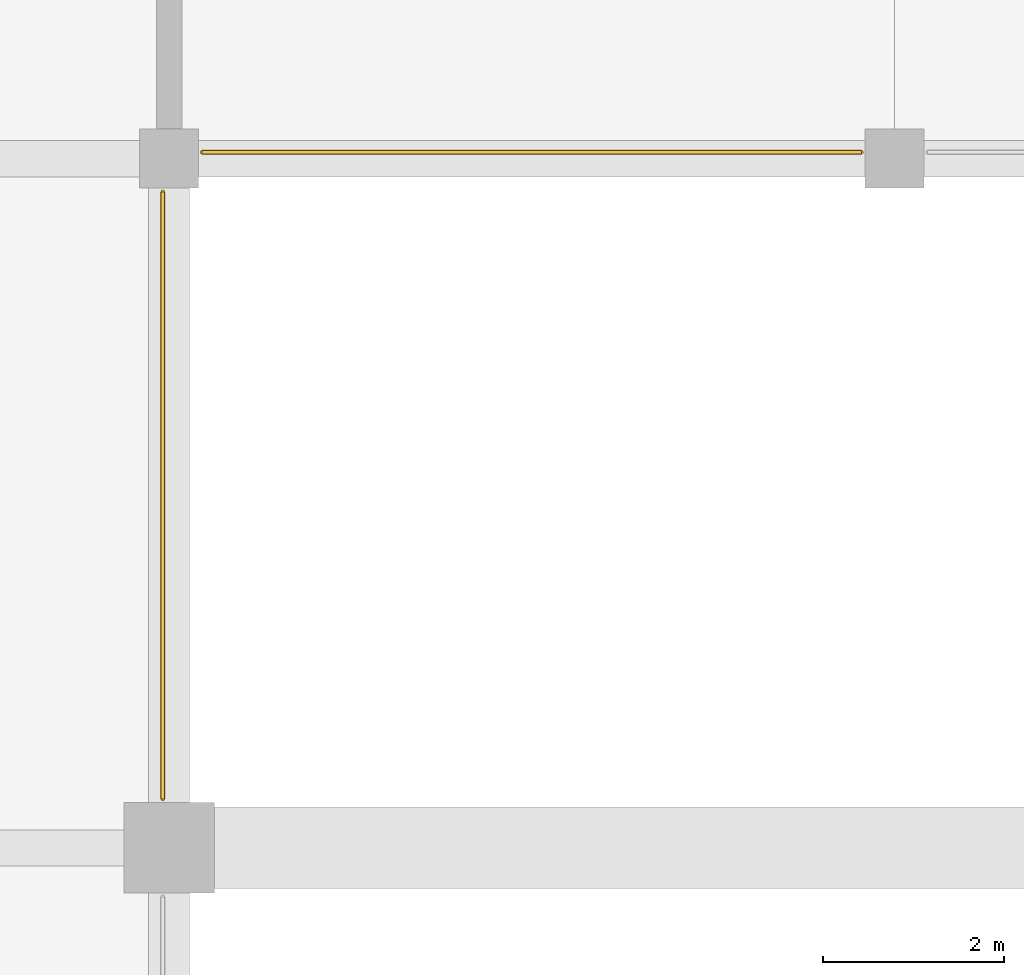
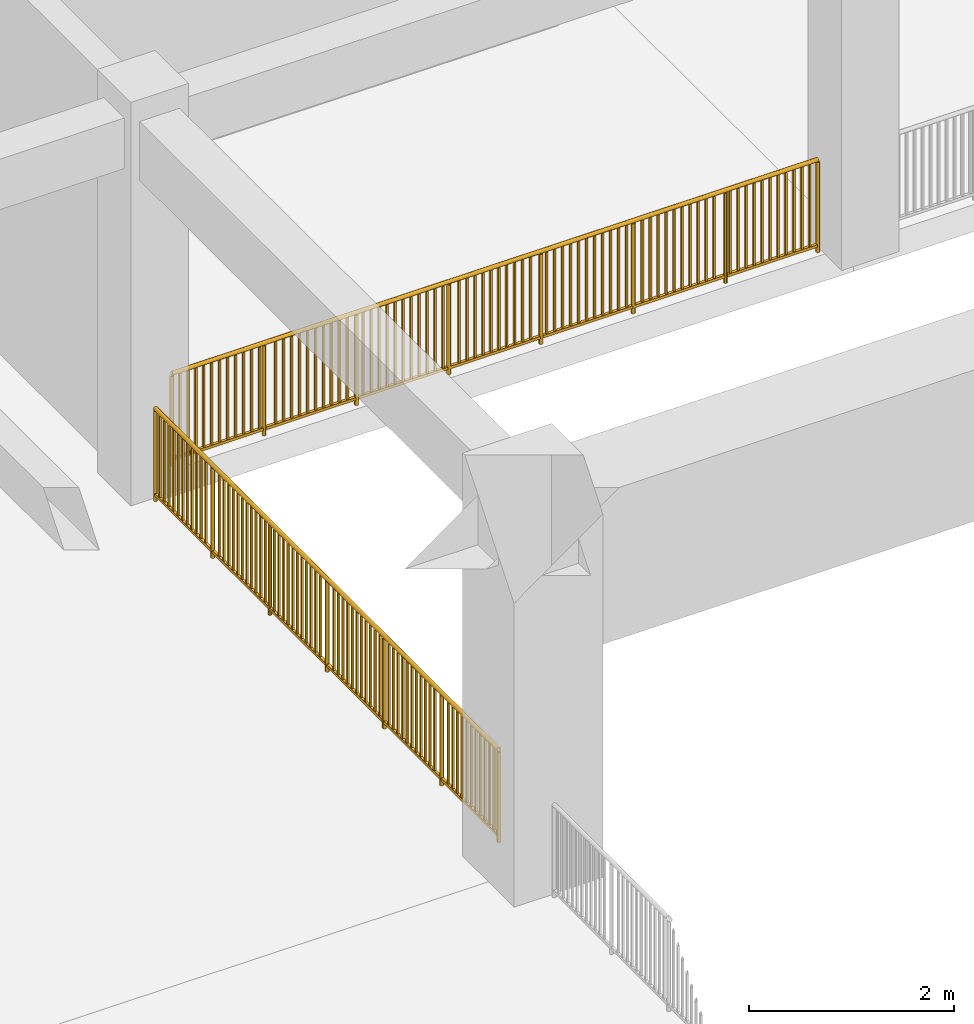
# One storey, part 86 of 101: 2 railings.
"""IFC4 building model written with IfcOpenShell, lengths in metres."""

from ifc_helpers import new_model, si_unit, direction, frame, origin, origin_2d, place, context, subcontext, project, spatial, rectangle, circle, extrude, material, type_object, element, save


model = new_model("IFC4")

# Units and contexts
model_context = context("Model", 3, precision=1e-05, world=origin(), true_north=direction((0.0, 1.0)))
body_context = subcontext(model_context, "Body", "Model", "MODEL_VIEW")
ifc_project = project(units=[si_unit("LENGTHUNIT", "METRE"), si_unit("AREAUNIT", "SQUARE_METRE"), si_unit("VOLUMEUNIT", "CUBIC_METRE"), si_unit("PLANEANGLEUNIT", "RADIAN"), si_unit("MASSUNIT", "GRAM", prefix="KILO")], contexts=[model_context])

# Site, building, storey
site_placement = place(None, origin())
site = spatial("IfcSite", under=ifc_project, at=site_placement, CompositionType="ELEMENT")
building_placement = place(site_placement, origin())
building = spatial("IfcBuilding", under=site, at=building_placement, Name="Zantavel Square City Hall", CompositionType="ELEMENT")
storey_placement = place(building_placement, frame((0.0, 0.0, 5.39990234375)))
storey = spatial("IfcBuildingStorey", under=building, at=storey_placement, Name="L02", CompositionType="ELEMENT", Elevation=5.39990234375)

# Railings
ifc_material = material(Name="Steel ASTM A500 Grade B", Category="steel")
railing_type = type_object("IfcRailingType", Name="Atrium & Gallery Steel Guard Railing 1100mm", PredefinedType="GUARDRAIL", material=ifc_material)
railing_1_placement = place(storey_placement, frame((23.929931640625, 30.034912109375, 0.0)))
element("IfcRailing", 1, at=railing_1_placement, inside=storey, type_object=railing_type, Name="L02 Atrium Void Guard 003", PredefinedType="GUARDRAIL", context=body_context, shape_type="SweptSolid", body=[
    extrude(circle(Radius=0.02392578125, at=origin_2d()), frame((0.0, 0.0, 1.09619140625), z_axis=(0.0, -1.0, 0.0), x_axis=(1.0, 0.0, 0.0)), (0.0, 0.0, 1.0), 6.69482421875),
    extrude(rectangle(XDim=0.031982421875, YDim=0.031982421875, at=origin_2d()), frame((0.0, 0.0, 0.080078125), z_axis=(0.0, -1.0, 0.0), x_axis=(1.0, 0.0, 0.0)), (0.0, 0.0, 1.0), 6.69482421875),
    extrude(rectangle(XDim=0.02197265625, YDim=0.02197265625, at=origin_2d()), frame((0.0, -0.08935546875, 0.080078125)), (0.0, 0.0, 1.0), 0.991943359375),
    extrude(rectangle(XDim=0.02197265625, YDim=0.02197265625, at=origin_2d()), frame((0.0, -0.178466796875, 0.080078125)), (0.0, 0.0, 1.0), 0.991943359375),
    extrude(rectangle(XDim=0.02197265625, YDim=0.02197265625, at=origin_2d()), frame((0.0, -0.267822265625, 0.080078125)), (0.0, 0.0, 1.0), 0.991943359375),
    extrude(rectangle(XDim=0.02197265625, YDim=0.02197265625, at=origin_2d()), frame((0.0, -0.357177734375, 0.080078125)), (0.0, 0.0, 1.0), 0.991943359375),
    extrude(rectangle(XDim=0.02197265625, YDim=0.02197265625, at=origin_2d()), frame((0.0, -0.4462890625, 0.080078125)), (0.0, 0.0, 1.0), 0.991943359375),
    extrude(rectangle(XDim=0.02197265625, YDim=0.02197265625, at=origin_2d()), frame((0.0, -0.53564453125, 0.080078125)), (0.0, 0.0, 1.0), 0.991943359375),
    extrude(rectangle(XDim=0.02197265625, YDim=0.02197265625, at=origin_2d()), frame((0.0, -0.624755859375, 0.080078125)), (0.0, 0.0, 1.0), 0.991943359375),
    extrude(rectangle(XDim=0.02197265625, YDim=0.02197265625, at=origin_2d()), frame((0.0, -0.714111328125, 0.080078125)), (0.0, 0.0, 1.0), 0.991943359375),
    extrude(rectangle(XDim=0.02197265625, YDim=0.02197265625, at=origin_2d()), frame((0.0, -0.803466796875, 0.080078125)), (0.0, 0.0, 1.0), 0.991943359375),
    extrude(rectangle(XDim=0.02197265625, YDim=0.02197265625, at=origin_2d()), frame((0.0, -0.892578125, 0.080078125)), (0.0, 0.0, 1.0), 0.991943359375),
    extrude(rectangle(XDim=0.02197265625, YDim=0.02197265625, at=origin_2d()), frame((0.0, -0.98193359375, 0.080078125)), (0.0, 0.0, 1.0), 0.991943359375),
    extrude(rectangle(XDim=0.02197265625, YDim=0.02197265625, at=origin_2d()), frame((0.0, -1.249755859375, 0.080078125)), (0.0, 0.0, 1.0), 0.991943359375),
    extrude(rectangle(XDim=0.02197265625, YDim=0.02197265625, at=origin_2d()), frame((0.0, -1.3388671875, 0.080078125)), (0.0, 0.0, 1.0), 0.991943359375),
    extrude(rectangle(XDim=0.02197265625, YDim=0.02197265625, at=origin_2d()), frame((0.0, -1.42822265625, 0.080078125)), (0.0, 0.0, 1.0), 0.991943359375),
    extrude(rectangle(XDim=0.02197265625, YDim=0.02197265625, at=origin_2d()), frame((0.0, -1.517578125, 0.080078125)), (0.0, 0.0, 1.0), 0.991943359375),
    extrude(rectangle(XDim=0.02197265625, YDim=0.02197265625, at=origin_2d()), frame((0.0, -1.606689453125, 0.080078125)), (0.0, 0.0, 1.0), 0.991943359375),
    extrude(rectangle(XDim=0.02197265625, YDim=0.02197265625, at=origin_2d()), frame((0.0, -1.696044921875, 0.080078125)), (0.0, 0.0, 1.0), 0.991943359375),
    extrude(rectangle(XDim=0.02197265625, YDim=0.02197265625, at=origin_2d()), frame((0.0, -1.785400390625, 0.080078125)), (0.0, 0.0, 1.0), 0.991943359375),
    extrude(rectangle(XDim=0.02197265625, YDim=0.02197265625, at=origin_2d()), frame((0.0, -1.87451171875, 0.080078125)), (0.0, 0.0, 1.0), 0.991943359375),
    extrude(rectangle(XDim=0.02197265625, YDim=0.02197265625, at=origin_2d()), frame((0.0, -1.9638671875, 0.080078125)), (0.0, 0.0, 1.0), 0.991943359375),
    extrude(rectangle(XDim=0.02197265625, YDim=0.02197265625, at=origin_2d()), frame((0.0, -2.052978515625, 0.080078125)), (0.0, 0.0, 1.0), 0.991943359375),
    extrude(rectangle(XDim=0.02197265625, YDim=0.02197265625, at=origin_2d()), frame((0.0, -2.142333984375, 0.080078125)), (0.0, 0.0, 1.0), 0.991943359375),
    extrude(rectangle(XDim=0.02197265625, YDim=0.02197265625, at=origin_2d()), frame((0.0, -2.32080078125, 0.080078125)), (0.0, 0.0, 1.0), 0.991943359375),
    extrude(rectangle(XDim=0.02197265625, YDim=0.02197265625, at=origin_2d()), frame((0.0, -2.41015625, 0.080078125)), (0.0, 0.0, 1.0), 0.991943359375),
    extrude(rectangle(XDim=0.02197265625, YDim=0.02197265625, at=origin_2d()), frame((0.0, -2.49951171875, 0.080078125)), (0.0, 0.0, 1.0), 0.991943359375),
    extrude(rectangle(XDim=0.02197265625, YDim=0.02197265625, at=origin_2d()), frame((0.0, -2.588623046875, 0.080078125)), (0.0, 0.0, 1.0), 0.991943359375),
    extrude(rectangle(XDim=0.02197265625, YDim=0.02197265625, at=origin_2d()), frame((0.0, -2.677978515625, 0.080078125)), (0.0, 0.0, 1.0), 0.991943359375),
    extrude(rectangle(XDim=0.02197265625, YDim=0.02197265625, at=origin_2d()), frame((0.0, -2.76708984375, 0.080078125)), (0.0, 0.0, 1.0), 0.991943359375),
    extrude(rectangle(XDim=0.02197265625, YDim=0.02197265625, at=origin_2d()), frame((0.0, -2.8564453125, 0.080078125)), (0.0, 0.0, 1.0), 0.991943359375),
    extrude(rectangle(XDim=0.02197265625, YDim=0.02197265625, at=origin_2d()), frame((0.0, -2.94580078125, 0.080078125)), (0.0, 0.0, 1.0), 0.991943359375),
    extrude(rectangle(XDim=0.02197265625, YDim=0.02197265625, at=origin_2d()), frame((0.0, -3.034912109375, 0.080078125)), (0.0, 0.0, 1.0), 0.991943359375),
    extrude(rectangle(XDim=0.02197265625, YDim=0.02197265625, at=origin_2d()), frame((0.0, -3.124267578125, 0.080078125)), (0.0, 0.0, 1.0), 0.991943359375),
    extrude(rectangle(XDim=0.02197265625, YDim=0.02197265625, at=origin_2d()), frame((0.0, -3.213623046875, 0.080078125)), (0.0, 0.0, 1.0), 0.991943359375),
    extrude(rectangle(XDim=0.02197265625, YDim=0.02197265625, at=origin_2d()), frame((0.0, -3.481201171875, 0.080078125)), (0.0, 0.0, 1.0), 0.991943359375),
    extrude(rectangle(XDim=0.02197265625, YDim=0.02197265625, at=origin_2d()), frame((0.0, -3.570556640625, 0.080078125)), (0.0, 0.0, 1.0), 0.991943359375),
    extrude(rectangle(XDim=0.02197265625, YDim=0.02197265625, at=origin_2d()), frame((0.0, -3.659912109375, 0.080078125)), (0.0, 0.0, 1.0), 0.991943359375),
    extrude(rectangle(XDim=0.02197265625, YDim=0.02197265625, at=origin_2d()), frame((0.0, -3.7490234375, 0.080078125)), (0.0, 0.0, 1.0), 0.991943359375),
    extrude(rectangle(XDim=0.02197265625, YDim=0.02197265625, at=origin_2d()), frame((0.0, -3.83837890625, 0.080078125)), (0.0, 0.0, 1.0), 0.991943359375),
    extrude(rectangle(XDim=0.02197265625, YDim=0.02197265625, at=origin_2d()), frame((0.0, -3.927734375, 0.080078125)), (0.0, 0.0, 1.0), 0.991943359375),
    extrude(rectangle(XDim=0.02197265625, YDim=0.02197265625, at=origin_2d()), frame((0.0, -4.016845703125, 0.080078125)), (0.0, 0.0, 1.0), 0.991943359375),
    extrude(rectangle(XDim=0.02197265625, YDim=0.02197265625, at=origin_2d()), frame((0.0, -4.106201171875, 0.080078125)), (0.0, 0.0, 1.0), 0.991943359375),
    extrude(rectangle(XDim=0.02197265625, YDim=0.02197265625, at=origin_2d()), frame((0.0, -4.1953125, 0.080078125)), (0.0, 0.0, 1.0), 0.991943359375),
    extrude(rectangle(XDim=0.02197265625, YDim=0.02197265625, at=origin_2d()), frame((0.0, -4.28466796875, 0.080078125)), (0.0, 0.0, 1.0), 0.991943359375),
    extrude(rectangle(XDim=0.02197265625, YDim=0.02197265625, at=origin_2d()), frame((0.0, -4.3740234375, 0.080078125)), (0.0, 0.0, 1.0), 0.991943359375),
    extrude(rectangle(XDim=0.02197265625, YDim=0.02197265625, at=origin_2d()), frame((0.0, -4.552490234375, 0.080078125)), (0.0, 0.0, 1.0), 0.991943359375),
    extrude(rectangle(XDim=0.02197265625, YDim=0.02197265625, at=origin_2d()), frame((0.0, -4.641845703125, 0.080078125)), (0.0, 0.0, 1.0), 0.991943359375),
    extrude(rectangle(XDim=0.02197265625, YDim=0.02197265625, at=origin_2d()), frame((0.0, -4.73095703125, 0.080078125)), (0.0, 0.0, 1.0), 0.991943359375),
    extrude(rectangle(XDim=0.02197265625, YDim=0.02197265625, at=origin_2d()), frame((0.0, -4.8203125, 0.080078125)), (0.0, 0.0, 1.0), 0.991943359375),
    extrude(rectangle(XDim=0.02197265625, YDim=0.02197265625, at=origin_2d()), frame((0.0, -4.909423828125, 0.080078125)), (0.0, 0.0, 1.0), 0.991943359375),
    extrude(rectangle(XDim=0.02197265625, YDim=0.02197265625, at=origin_2d()), frame((0.0, -4.998779296875, 0.080078125)), (0.0, 0.0, 1.0), 0.991943359375),
    extrude(rectangle(XDim=0.02197265625, YDim=0.02197265625, at=origin_2d()), frame((0.0, -5.088134765625, 0.080078125)), (0.0, 0.0, 1.0), 0.991943359375),
    extrude(rectangle(XDim=0.02197265625, YDim=0.02197265625, at=origin_2d()), frame((0.0, -5.17724609375, 0.080078125)), (0.0, 0.0, 1.0), 0.991943359375),
    extrude(rectangle(XDim=0.02197265625, YDim=0.02197265625, at=origin_2d()), frame((0.0, -5.2666015625, 0.080078125)), (0.0, 0.0, 1.0), 0.991943359375),
    extrude(rectangle(XDim=0.02197265625, YDim=0.02197265625, at=origin_2d()), frame((0.0, -5.35595703125, 0.080078125)), (0.0, 0.0, 1.0), 0.991943359375),
    extrude(rectangle(XDim=0.02197265625, YDim=0.02197265625, at=origin_2d()), frame((0.0, -5.445068359375, 0.080078125)), (0.0, 0.0, 1.0), 0.991943359375),
    extrude(rectangle(XDim=0.02197265625, YDim=0.02197265625, at=origin_2d()), frame((0.0, -5.712890625, 0.080078125)), (0.0, 0.0, 1.0), 0.991943359375),
    extrude(rectangle(XDim=0.02197265625, YDim=0.02197265625, at=origin_2d()), frame((0.0, -5.80224609375, 0.080078125)), (0.0, 0.0, 1.0), 0.991943359375),
    extrude(rectangle(XDim=0.02197265625, YDim=0.02197265625, at=origin_2d()), frame((0.0, -5.891357421875, 0.080078125)), (0.0, 0.0, 1.0), 0.991943359375),
    extrude(rectangle(XDim=0.02197265625, YDim=0.02197265625, at=origin_2d()), frame((0.0, -5.980712890625, 0.080078125)), (0.0, 0.0, 1.0), 0.991943359375),
    extrude(rectangle(XDim=0.02197265625, YDim=0.02197265625, at=origin_2d()), frame((0.0, -6.070068359375, 0.080078125)), (0.0, 0.0, 1.0), 0.991943359375),
    extrude(rectangle(XDim=0.02197265625, YDim=0.02197265625, at=origin_2d()), frame((0.0, -6.1591796875, 0.080078125)), (0.0, 0.0, 1.0), 0.991943359375),
    extrude(rectangle(XDim=0.02197265625, YDim=0.02197265625, at=origin_2d()), frame((0.0, -6.24853515625, 0.080078125)), (0.0, 0.0, 1.0), 0.991943359375),
    extrude(rectangle(XDim=0.02197265625, YDim=0.02197265625, at=origin_2d()), frame((0.0, -6.337646484375, 0.080078125)), (0.0, 0.0, 1.0), 0.991943359375),
    extrude(rectangle(XDim=0.02197265625, YDim=0.02197265625, at=origin_2d()), frame((0.0, -6.427001953125, 0.080078125)), (0.0, 0.0, 1.0), 0.991943359375),
    extrude(rectangle(XDim=0.02197265625, YDim=0.02197265625, at=origin_2d()), frame((0.0, -6.516357421875, 0.080078125)), (0.0, 0.0, 1.0), 0.991943359375),
    extrude(rectangle(XDim=0.02197265625, YDim=0.02197265625, at=origin_2d()), frame((0.0, -6.60546875, 0.080078125)), (0.0, 0.0, 1.0), 0.991943359375),
    extrude(circle(Radius=0.02099609375, at=origin_2d()), origin(), (0.0, 0.0, 1.0), 1.072021484375),
    extrude(circle(Radius=0.02099609375, at=origin_2d()), frame((0.0, -1.11572265625, 0.0)), (0.0, 0.0, 1.0), 1.072021484375),
    extrude(circle(Radius=0.02099609375, at=origin_2d()), frame((0.0, -2.231689453125, 0.0)), (0.0, 0.0, 1.0), 1.072021484375),
    extrude(circle(Radius=0.02099609375, at=origin_2d()), frame((0.0, -3.347412109375, 0.0)), (0.0, 0.0, 1.0), 1.072021484375),
    extrude(circle(Radius=0.02099609375, at=origin_2d()), frame((0.0, -4.463134765625, 0.0)), (0.0, 0.0, 1.0), 1.072021484375),
    extrude(circle(Radius=0.02099609375, at=origin_2d()), frame((0.0, -5.5791015625, 0.0)), (0.0, 0.0, 1.0), 1.072021484375),
    extrude(circle(Radius=0.02099609375, at=origin_2d()), frame((0.0, -6.69482421875, 0.0)), (0.0, 0.0, 1.0), 1.072021484375),
])
railing_2_placement = place(storey_placement, frame((31.635009765625, 30.469970703125, 0.0)))
element("IfcRailing", 2, at=railing_2_placement, inside=storey, type_object=railing_type, Name="L02 Atrium Void Guard 005", PredefinedType="GUARDRAIL", context=body_context, shape_type="SweptSolid", body=[
    extrude(circle(Radius=0.02392578125, at=origin_2d()), frame((0.0, 0.0, 1.09619140625), z_axis=(-1.0, 0.0, 0.0), x_axis=(0.0, -1.0, 0.0)), (0.0, 0.0, 1.0), 7.27001953125),
    extrude(rectangle(XDim=0.031982421875, YDim=0.031982421875, at=origin_2d()), frame((0.0, 0.0, 0.080078125), z_axis=(-1.0, 0.0, 0.0), x_axis=(0.0, -1.0, 0.0)), (0.0, 0.0, 1.0), 7.27001953125),
    extrude(rectangle(XDim=0.02197265625, YDim=0.02197265625, at=origin_2d()), frame((-0.08984375, 0.0, 0.080078125)), (0.0, 0.0, 1.0), 0.991943359375),
    extrude(rectangle(XDim=0.02197265625, YDim=0.02197265625, at=origin_2d()), frame((-0.179443359375, 0.0, 0.080078125)), (0.0, 0.0, 1.0), 0.991943359375),
    extrude(rectangle(XDim=0.02197265625, YDim=0.02197265625, at=origin_2d()), frame((-0.269287109375, 0.0, 0.080078125)), (0.0, 0.0, 1.0), 0.991943359375),
    extrude(rectangle(XDim=0.02197265625, YDim=0.02197265625, at=origin_2d()), frame((-0.359130859375, 0.0, 0.080078125)), (0.0, 0.0, 1.0), 0.991943359375),
    extrude(rectangle(XDim=0.02197265625, YDim=0.02197265625, at=origin_2d()), frame((-0.44873046875, 0.0, 0.080078125)), (0.0, 0.0, 1.0), 0.991943359375),
    extrude(rectangle(XDim=0.02197265625, YDim=0.02197265625, at=origin_2d()), frame((-0.53857421875, 0.0, 0.080078125)), (0.0, 0.0, 1.0), 0.991943359375),
    extrude(rectangle(XDim=0.02197265625, YDim=0.02197265625, at=origin_2d()), frame((-0.628173828125, 0.0, 0.080078125)), (0.0, 0.0, 1.0), 0.991943359375),
    extrude(rectangle(XDim=0.02197265625, YDim=0.02197265625, at=origin_2d()), frame((-0.718017578125, 0.0, 0.080078125)), (0.0, 0.0, 1.0), 0.991943359375),
    extrude(rectangle(XDim=0.02197265625, YDim=0.02197265625, at=origin_2d()), frame((-0.807861328125, 0.0, 0.080078125)), (0.0, 0.0, 1.0), 0.991943359375),
    extrude(rectangle(XDim=0.02197265625, YDim=0.02197265625, at=origin_2d()), frame((-0.8974609375, 0.0, 0.080078125)), (0.0, 0.0, 1.0), 0.991943359375),
    extrude(rectangle(XDim=0.02197265625, YDim=0.02197265625, at=origin_2d()), frame((-0.9873046875, 0.0, 0.080078125)), (0.0, 0.0, 1.0), 0.991943359375),
    extrude(rectangle(XDim=0.02197265625, YDim=0.02197265625, at=origin_2d()), frame((-1.166748046875, 0.0, 0.080078125)), (0.0, 0.0, 1.0), 0.991943359375),
    extrude(rectangle(XDim=0.02197265625, YDim=0.02197265625, at=origin_2d()), frame((-1.256591796875, 0.0, 0.080078125)), (0.0, 0.0, 1.0), 0.991943359375),
    extrude(rectangle(XDim=0.02197265625, YDim=0.02197265625, at=origin_2d()), frame((-1.34619140625, 0.0, 0.080078125)), (0.0, 0.0, 1.0), 0.991943359375),
    extrude(rectangle(XDim=0.02197265625, YDim=0.02197265625, at=origin_2d()), frame((-1.43603515625, 0.0, 0.080078125)), (0.0, 0.0, 1.0), 0.991943359375),
    extrude(rectangle(XDim=0.02197265625, YDim=0.02197265625, at=origin_2d()), frame((-1.52587890625, 0.0, 0.080078125)), (0.0, 0.0, 1.0), 0.991943359375),
    extrude(rectangle(XDim=0.02197265625, YDim=0.02197265625, at=origin_2d()), frame((-1.615478515625, 0.0, 0.080078125)), (0.0, 0.0, 1.0), 0.991943359375),
    extrude(rectangle(XDim=0.02197265625, YDim=0.02197265625, at=origin_2d()), frame((-1.705322265625, 0.0, 0.080078125)), (0.0, 0.0, 1.0), 0.991943359375),
    extrude(rectangle(XDim=0.02197265625, YDim=0.02197265625, at=origin_2d()), frame((-1.795166015625, 0.0, 0.080078125)), (0.0, 0.0, 1.0), 0.991943359375),
    extrude(rectangle(XDim=0.02197265625, YDim=0.02197265625, at=origin_2d()), frame((-1.884765625, 0.0, 0.080078125)), (0.0, 0.0, 1.0), 0.991943359375),
    extrude(rectangle(XDim=0.02197265625, YDim=0.02197265625, at=origin_2d()), frame((-1.974609375, 0.0, 0.080078125)), (0.0, 0.0, 1.0), 0.991943359375),
    extrude(rectangle(XDim=0.02197265625, YDim=0.02197265625, at=origin_2d()), frame((-2.154052734375, 0.0, 0.080078125)), (0.0, 0.0, 1.0), 0.991943359375),
    extrude(rectangle(XDim=0.02197265625, YDim=0.02197265625, at=origin_2d()), frame((-2.243896484375, 0.0, 0.080078125)), (0.0, 0.0, 1.0), 0.991943359375),
    extrude(rectangle(XDim=0.02197265625, YDim=0.02197265625, at=origin_2d()), frame((-2.33349609375, 0.0, 0.080078125)), (0.0, 0.0, 1.0), 0.991943359375),
    extrude(rectangle(XDim=0.02197265625, YDim=0.02197265625, at=origin_2d()), frame((-2.42333984375, 0.0, 0.080078125)), (0.0, 0.0, 1.0), 0.991943359375),
    extrude(rectangle(XDim=0.02197265625, YDim=0.02197265625, at=origin_2d()), frame((-2.51318359375, 0.0, 0.080078125)), (0.0, 0.0, 1.0), 0.991943359375),
    extrude(rectangle(XDim=0.02197265625, YDim=0.02197265625, at=origin_2d()), frame((-2.602783203125, 0.0, 0.080078125)), (0.0, 0.0, 1.0), 0.991943359375),
    extrude(rectangle(XDim=0.02197265625, YDim=0.02197265625, at=origin_2d()), frame((-2.692626953125, 0.0, 0.080078125)), (0.0, 0.0, 1.0), 0.991943359375),
    extrude(rectangle(XDim=0.02197265625, YDim=0.02197265625, at=origin_2d()), frame((-2.782470703125, 0.0, 0.080078125)), (0.0, 0.0, 1.0), 0.991943359375),
    extrude(rectangle(XDim=0.02197265625, YDim=0.02197265625, at=origin_2d()), frame((-2.8720703125, 0.0, 0.080078125)), (0.0, 0.0, 1.0), 0.991943359375),
    extrude(rectangle(XDim=0.02197265625, YDim=0.02197265625, at=origin_2d()), frame((-2.9619140625, 0.0, 0.080078125)), (0.0, 0.0, 1.0), 0.991943359375),
    extrude(rectangle(XDim=0.02197265625, YDim=0.02197265625, at=origin_2d()), frame((-3.051513671875, 0.0, 0.080078125)), (0.0, 0.0, 1.0), 0.991943359375),
    extrude(rectangle(XDim=0.02197265625, YDim=0.02197265625, at=origin_2d()), frame((-3.231201171875, 0.0, 0.080078125)), (0.0, 0.0, 1.0), 0.991943359375),
    extrude(rectangle(XDim=0.02197265625, YDim=0.02197265625, at=origin_2d()), frame((-3.32080078125, 0.0, 0.080078125)), (0.0, 0.0, 1.0), 0.991943359375),
    extrude(rectangle(XDim=0.02197265625, YDim=0.02197265625, at=origin_2d()), frame((-3.41064453125, 0.0, 0.080078125)), (0.0, 0.0, 1.0), 0.991943359375),
    extrude(rectangle(XDim=0.02197265625, YDim=0.02197265625, at=origin_2d()), frame((-3.50048828125, 0.0, 0.080078125)), (0.0, 0.0, 1.0), 0.991943359375),
    extrude(rectangle(XDim=0.02197265625, YDim=0.02197265625, at=origin_2d()), frame((-3.590087890625, 0.0, 0.080078125)), (0.0, 0.0, 1.0), 0.991943359375),
    extrude(rectangle(XDim=0.02197265625, YDim=0.02197265625, at=origin_2d()), frame((-3.679931640625, 0.0, 0.080078125)), (0.0, 0.0, 1.0), 0.991943359375),
    extrude(rectangle(XDim=0.02197265625, YDim=0.02197265625, at=origin_2d()), frame((-3.76953125, 0.0, 0.080078125)), (0.0, 0.0, 1.0), 0.991943359375),
    extrude(rectangle(XDim=0.02197265625, YDim=0.02197265625, at=origin_2d()), frame((-3.859375, 0.0, 0.080078125)), (0.0, 0.0, 1.0), 0.991943359375),
    extrude(rectangle(XDim=0.02197265625, YDim=0.02197265625, at=origin_2d()), frame((-3.94921875, 0.0, 0.080078125)), (0.0, 0.0, 1.0), 0.991943359375),
    extrude(rectangle(XDim=0.02197265625, YDim=0.02197265625, at=origin_2d()), frame((-4.038818359375, 0.0, 0.080078125)), (0.0, 0.0, 1.0), 0.991943359375),
    extrude(rectangle(XDim=0.02197265625, YDim=0.02197265625, at=origin_2d()), frame((-4.218505859375, 0.0, 0.080078125)), (0.0, 0.0, 1.0), 0.991943359375),
    extrude(rectangle(XDim=0.02197265625, YDim=0.02197265625, at=origin_2d()), frame((-4.30810546875, 0.0, 0.080078125)), (0.0, 0.0, 1.0), 0.991943359375),
    extrude(rectangle(XDim=0.02197265625, YDim=0.02197265625, at=origin_2d()), frame((-4.39794921875, 0.0, 0.080078125)), (0.0, 0.0, 1.0), 0.991943359375),
    extrude(rectangle(XDim=0.02197265625, YDim=0.02197265625, at=origin_2d()), frame((-4.487548828125, 0.0, 0.080078125)), (0.0, 0.0, 1.0), 0.991943359375),
    extrude(rectangle(XDim=0.02197265625, YDim=0.02197265625, at=origin_2d()), frame((-4.577392578125, 0.0, 0.080078125)), (0.0, 0.0, 1.0), 0.991943359375),
    extrude(rectangle(XDim=0.02197265625, YDim=0.02197265625, at=origin_2d()), frame((-4.667236328125, 0.0, 0.080078125)), (0.0, 0.0, 1.0), 0.991943359375),
    extrude(rectangle(XDim=0.02197265625, YDim=0.02197265625, at=origin_2d()), frame((-4.7568359375, 0.0, 0.080078125)), (0.0, 0.0, 1.0), 0.991943359375),
    extrude(rectangle(XDim=0.02197265625, YDim=0.02197265625, at=origin_2d()), frame((-4.8466796875, 0.0, 0.080078125)), (0.0, 0.0, 1.0), 0.991943359375),
    extrude(rectangle(XDim=0.02197265625, YDim=0.02197265625, at=origin_2d()), frame((-4.9365234375, 0.0, 0.080078125)), (0.0, 0.0, 1.0), 0.991943359375),
    extrude(rectangle(XDim=0.02197265625, YDim=0.02197265625, at=origin_2d()), frame((-5.026123046875, 0.0, 0.080078125)), (0.0, 0.0, 1.0), 0.991943359375),
    extrude(rectangle(XDim=0.02197265625, YDim=0.02197265625, at=origin_2d()), frame((-5.115966796875, 0.0, 0.080078125)), (0.0, 0.0, 1.0), 0.991943359375),
    extrude(rectangle(XDim=0.02197265625, YDim=0.02197265625, at=origin_2d()), frame((-5.29541015625, 0.0, 0.080078125)), (0.0, 0.0, 1.0), 0.991943359375),
    extrude(rectangle(XDim=0.02197265625, YDim=0.02197265625, at=origin_2d()), frame((-5.38525390625, 0.0, 0.080078125)), (0.0, 0.0, 1.0), 0.991943359375),
    extrude(rectangle(XDim=0.02197265625, YDim=0.02197265625, at=origin_2d()), frame((-5.474853515625, 0.0, 0.080078125)), (0.0, 0.0, 1.0), 0.991943359375),
    extrude(rectangle(XDim=0.02197265625, YDim=0.02197265625, at=origin_2d()), frame((-5.564697265625, 0.0, 0.080078125)), (0.0, 0.0, 1.0), 0.991943359375),
    extrude(rectangle(XDim=0.02197265625, YDim=0.02197265625, at=origin_2d()), frame((-5.654541015625, 0.0, 0.080078125)), (0.0, 0.0, 1.0), 0.991943359375),
    extrude(rectangle(XDim=0.02197265625, YDim=0.02197265625, at=origin_2d()), frame((-5.744140625, 0.0, 0.080078125)), (0.0, 0.0, 1.0), 0.991943359375),
    extrude(rectangle(XDim=0.02197265625, YDim=0.02197265625, at=origin_2d()), frame((-5.833984375, 0.0, 0.080078125)), (0.0, 0.0, 1.0), 0.991943359375),
    extrude(rectangle(XDim=0.02197265625, YDim=0.02197265625, at=origin_2d()), frame((-5.923828125, 0.0, 0.080078125)), (0.0, 0.0, 1.0), 0.991943359375),
    extrude(rectangle(XDim=0.02197265625, YDim=0.02197265625, at=origin_2d()), frame((-6.013427734375, 0.0, 0.080078125)), (0.0, 0.0, 1.0), 0.991943359375),
    extrude(rectangle(XDim=0.02197265625, YDim=0.02197265625, at=origin_2d()), frame((-6.103271484375, 0.0, 0.080078125)), (0.0, 0.0, 1.0), 0.991943359375),
    extrude(rectangle(XDim=0.02197265625, YDim=0.02197265625, at=origin_2d()), frame((-6.28271484375, 0.0, 0.080078125)), (0.0, 0.0, 1.0), 0.991943359375),
    extrude(rectangle(XDim=0.02197265625, YDim=0.02197265625, at=origin_2d()), frame((-6.37255859375, 0.0, 0.080078125)), (0.0, 0.0, 1.0), 0.991943359375),
    extrude(rectangle(XDim=0.02197265625, YDim=0.02197265625, at=origin_2d()), frame((-6.462158203125, 0.0, 0.080078125)), (0.0, 0.0, 1.0), 0.991943359375),
    extrude(rectangle(XDim=0.02197265625, YDim=0.02197265625, at=origin_2d()), frame((-6.552001953125, 0.0, 0.080078125)), (0.0, 0.0, 1.0), 0.991943359375),
    extrude(rectangle(XDim=0.02197265625, YDim=0.02197265625, at=origin_2d()), frame((-6.641845703125, 0.0, 0.080078125)), (0.0, 0.0, 1.0), 0.991943359375),
    extrude(rectangle(XDim=0.02197265625, YDim=0.02197265625, at=origin_2d()), frame((-6.7314453125, 0.0, 0.080078125)), (0.0, 0.0, 1.0), 0.991943359375),
    extrude(rectangle(XDim=0.02197265625, YDim=0.02197265625, at=origin_2d()), frame((-6.8212890625, 0.0, 0.080078125)), (0.0, 0.0, 1.0), 0.991943359375),
    extrude(rectangle(XDim=0.02197265625, YDim=0.02197265625, at=origin_2d()), frame((-6.910888671875, 0.0, 0.080078125)), (0.0, 0.0, 1.0), 0.991943359375),
    extrude(rectangle(XDim=0.02197265625, YDim=0.02197265625, at=origin_2d()), frame((-7.000732421875, 0.0, 0.080078125)), (0.0, 0.0, 1.0), 0.991943359375),
    extrude(rectangle(XDim=0.02197265625, YDim=0.02197265625, at=origin_2d()), frame((-7.090576171875, 0.0, 0.080078125)), (0.0, 0.0, 1.0), 0.991943359375),
    extrude(rectangle(XDim=0.02197265625, YDim=0.02197265625, at=origin_2d()), frame((-7.18017578125, 0.0, 0.080078125)), (0.0, 0.0, 1.0), 0.991943359375),
    extrude(circle(Radius=0.02099609375, at=origin_2d()), origin(), (0.0, 0.0, 1.0), 1.072021484375),
    extrude(circle(Radius=0.02099609375, at=origin_2d()), frame((-1.03857421875, 0.0, 0.0)), (0.0, 0.0, 1.0), 1.072021484375),
    extrude(circle(Radius=0.02099609375, at=origin_2d()), frame((-2.0771484375, 0.0, 0.0)), (0.0, 0.0, 1.0), 1.072021484375),
    extrude(circle(Radius=0.02099609375, at=origin_2d()), frame((-3.11572265625, 0.0, 0.0)), (0.0, 0.0, 1.0), 1.072021484375),
    extrude(circle(Radius=0.02099609375, at=origin_2d()), frame((-4.154296875, 0.0, 0.0)), (0.0, 0.0, 1.0), 1.072021484375),
    extrude(circle(Radius=0.02099609375, at=origin_2d()), frame((-5.19287109375, 0.0, 0.0)), (0.0, 0.0, 1.0), 1.072021484375),
    extrude(circle(Radius=0.02099609375, at=origin_2d()), frame((-6.2314453125, 0.0, 0.0)), (0.0, 0.0, 1.0), 1.072021484375),
    extrude(circle(Radius=0.02099609375, at=origin_2d()), frame((-7.27001953125, 0.0, 0.0)), (0.0, 0.0, 1.0), 1.072021484375),
])

save(model, "model.ifc")
